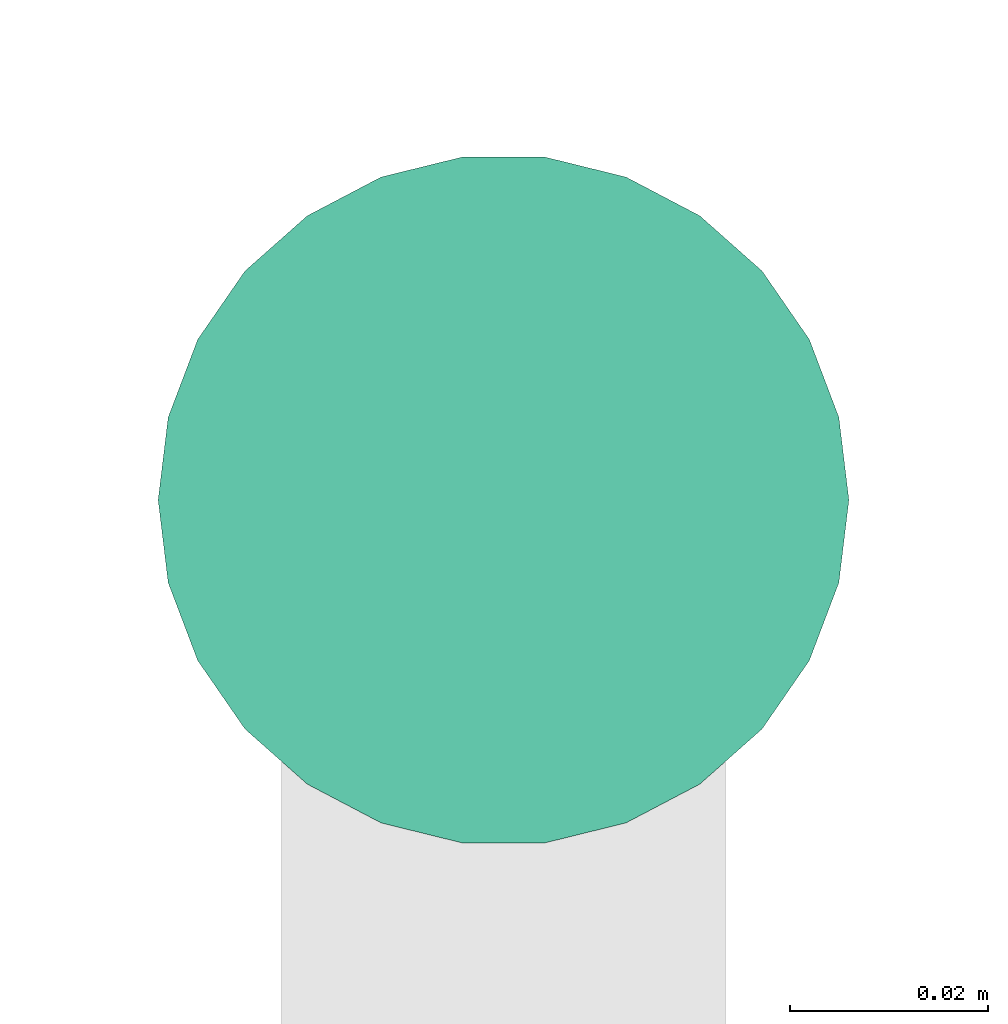
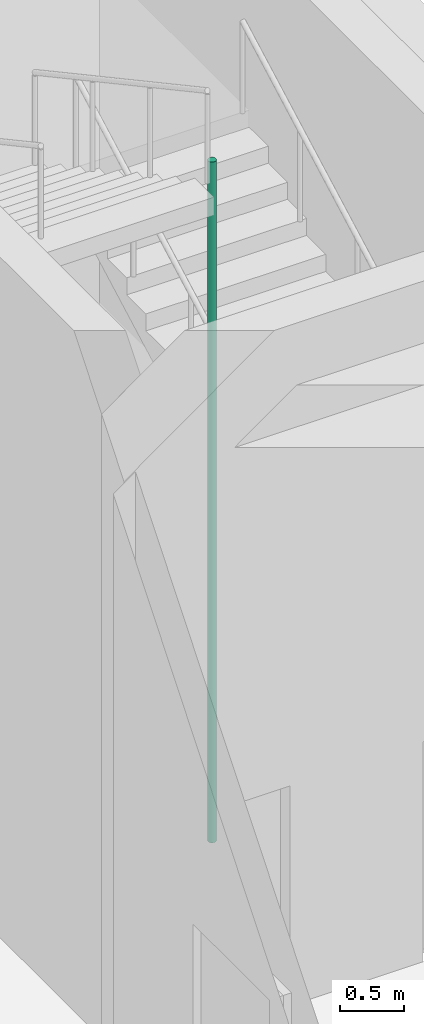
# One storey, part 38 of 45: 1 pipe segment.
"""IFC4 building model written with IfcOpenShell, lengths in metres."""

from ifc_helpers import new_model, si_unit, direction, frame, origin, origin_2d, place, context, subcontext, project, spatial, circle, extrude, element, save


model = new_model("IFC4")

# Units and contexts
model_context = context("Model", 3, precision=1e-05, world=origin(), true_north=direction((0.0, 1.0)))
body_context = subcontext(model_context, "Body", "Model", "MODEL_VIEW")
ifc_project = project(units=[si_unit("LENGTHUNIT", "METRE"), si_unit("AREAUNIT", "SQUARE_METRE"), si_unit("VOLUMEUNIT", "CUBIC_METRE"), si_unit("PLANEANGLEUNIT", "RADIAN"), si_unit("MASSUNIT", "GRAM", prefix="KILO")], contexts=[model_context])

# Site, building, storey
site_placement = place(None, origin())
site = spatial("IfcSite", under=ifc_project, at=site_placement, CompositionType="ELEMENT")
building_placement = place(site_placement, origin())
building = spatial("IfcBuilding", under=site, at=building_placement, Name="Nzadi Deep Aquarium and Research Tower", CompositionType="ELEMENT")
storey_placement = place(building_placement, origin())
storey = spatial("IfcBuildingStorey", under=building, at=storey_placement, Name="G", CompositionType="ELEMENT", Elevation=0.0)

# Pipe segment
pipe_segment_placement = place(storey_placement, frame((55.300048828125, 116.360107421875, 0.0), z_axis=(0.0, 0.0, 1.0), x_axis=(1.0, 0.0, 0.0)))
element("IfcPipeSegment", 1, at=pipe_segment_placement, inside=storey, Name="Dry riser ST-Z3-E G", PredefinedType="RIGIDSEGMENT", context=body_context, shape_type="SweptSolid", body=[
    extrude(circle(Radius=0.034912109375, at=origin_2d()), origin(), (0.0, 0.0, 1.0), 6.5),
])

save(model, "model.ifc")
